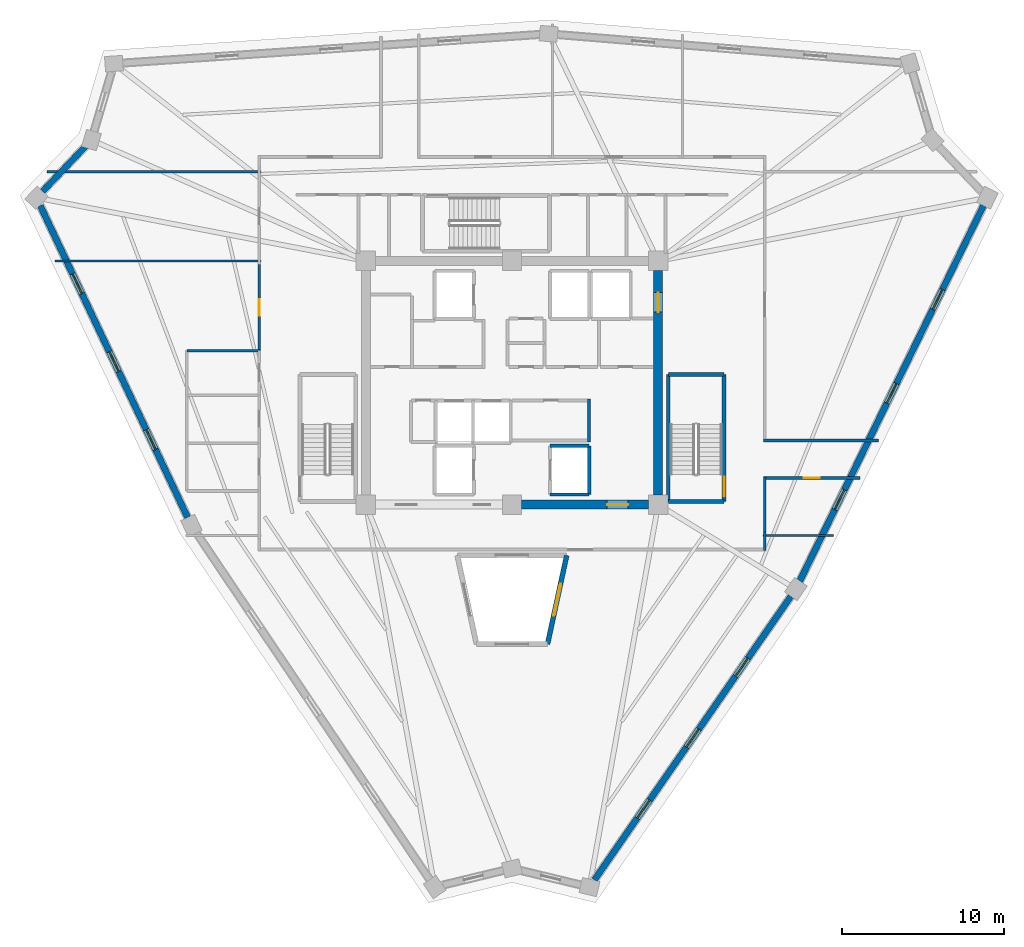
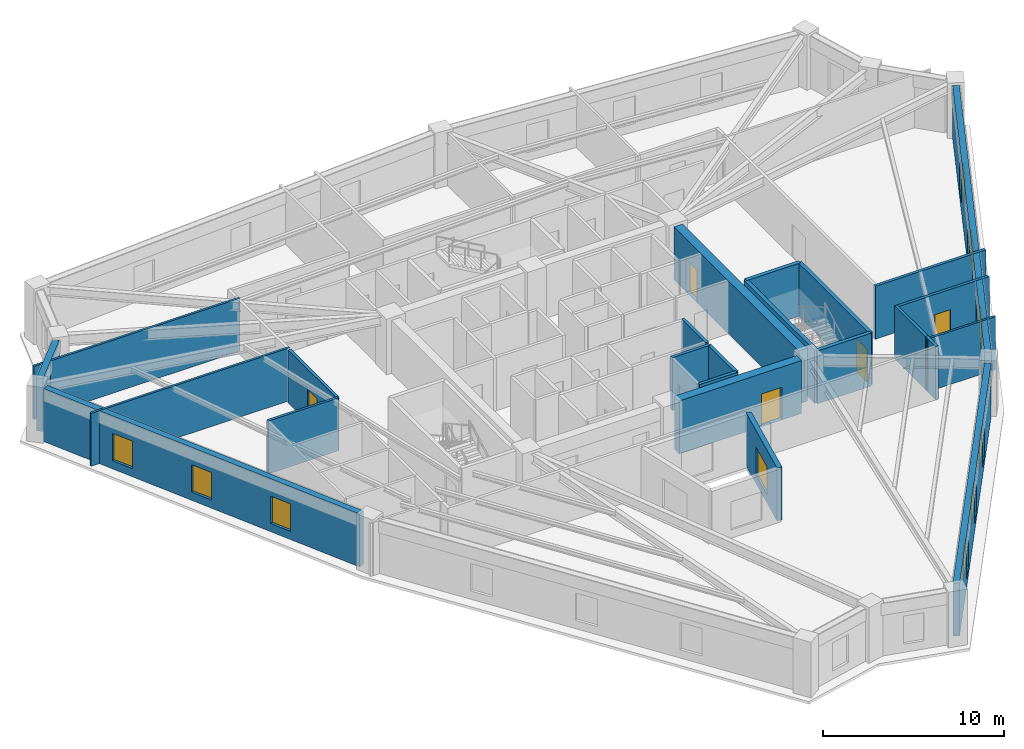
# One storey, part 4 of 8: 24 walls, 10 windows, 5 doors, 15 openings.
"""IFC4 building model written with IfcOpenShell, lengths in metres."""

from ifc_helpers import new_model, si_unit, direction, frame, frame_2d, origin, place, context, subcontext, project, spatial, rectangle, extrude, source, transform, mapped, material, layer, layer_set, type_object, element, fill, save


model = new_model("IFC4")

# Units and contexts
model_context = context("Model", 3, precision=1e-05, world=origin(), true_north=direction((0.0, 1.0)))
body_context = subcontext(model_context, "Body", "Model", "MODEL_VIEW")
ifc_project = project(units=[si_unit("LENGTHUNIT", "METRE"), si_unit("AREAUNIT", "SQUARE_METRE"), si_unit("VOLUMEUNIT", "CUBIC_METRE"), si_unit("PLANEANGLEUNIT", "RADIAN"), si_unit("MASSUNIT", "GRAM", prefix="KILO")], contexts=[model_context])

# Site, building, storey
site_placement = place(None, origin())
site = spatial("IfcSite", under=ifc_project, at=site_placement, CompositionType="ELEMENT")
building_placement = place(site_placement, origin())
building = spatial("IfcBuilding", under=site, at=building_placement, Name="Liaohun Quay Tower", CompositionType="ELEMENT")
storey_placement = place(building_placement, frame((0.0, 0.0, 332.25)))
storey = spatial("IfcBuildingStorey", under=building, at=storey_placement, Name="L86", CompositionType="ELEMENT", Elevation=332.25)

# Wall, opening, window
ifc_material_1 = material(Name="Concrete C50", Category="concrete")
ifc_layer_1 = layer(ifc_material_1, 0.300048828125, Name="Concrete C50", Category="concrete")
ifc_layer_set_1 = layer_set([ifc_layer_1], Name="Concrete C50")
wall_type_1 = type_object("IfcWallType", Name="WAL-ATR-300", PredefinedType="SOLIDWALL", material=ifc_layer_set_1)
wall_1_placement = place(storey_placement, frame((63.368896484375, 43.3701171875, 0.0), z_axis=(0.0, 0.0, 1.0), x_axis=(-0.211279697176, -0.977425644006, 0.0)))
wall_1 = element("IfcWall", 1, at=wall_1_placement, inside=storey, type_object=wall_type_1, Name="L86 Atrium Fire Compartment Wall 3", PredefinedType="SOLIDWALL", context=body_context, shape_type="SweptSolid", body=[
    extrude(rectangle(XDim=5.580078125, YDim=0.300048828125, at=frame_2d((2.7900390625, 0.0))), origin(), (0.0, 0.0, 1.0), 3.570068359375),
])
shared_shape_1 = source(origin(), body_context, "Body", "SweptSolid", [
    extrude(rectangle(XDim=2.0, YDim=1.89990234375, at=frame_2d((1.0, 0.949951171875))), frame((0.0, 0.159912109375, 0.0), z_axis=(0.0, -1.0, 0.0), x_axis=(1.0, 0.0, 0.0)), (0.0, 0.0, 1.0), 0.320068359375),
])
opening_1_placement = place(wall_1_placement, frame((1.7900390625, 0.0, 0.550048828125)))
opening_1 = element("IfcOpeningElement", 2, at=opening_1_placement, cuts=wall_1, Name="Opening W07", PredefinedType="OPENING", context=body_context, shape_type="MappedRepresentation", body=[
    mapped(shared_shape_1, transform((0.0, 0.0, 0.0), x_axis=(1.0, 0.0, 0.0), y_axis=(0.0, 1.0, 0.0), z_axis=(0.0, 0.0, 1.0), scale=1.0)),
])
ifc_material_2 = material(Name="Class A 180-min fire-resistant insulated glazing", Category="glass")
window_type_1 = type_object("IfcWindowType", Name="WIN-ATR-FIR", PartitioningType="DOUBLE_PANEL_VERTICAL", PredefinedType="WINDOW", material=ifc_material_2)
shared_shape_2 = source(origin(), body_context, "Body", "SweptSolid", [
    extrude(rectangle(XDim=2.0, YDim=1.89990234375, at=frame_2d((1.0, 0.949951171875))), frame((0.0, 0.030029296875, 0.0), z_axis=(0.0, -1.0, 0.0), x_axis=(1.0, 0.0, 0.0)), (0.0, 0.0, 1.0), 0.06005859375),
])
window_1_placement = place(opening_1_placement, origin())
window_1 = element("IfcWindow", 3, at=window_1_placement, inside=storey, type_object=window_type_1, Name="L86 Atrium Fire-Resistant Glazing W07-3", OverallHeight=1.89990234375, OverallWidth=2.0, PartitioningType="DOUBLE_PANEL_VERTICAL", PredefinedType="WINDOW", context=body_context, shape_type="MappedRepresentation", body=[
    mapped(shared_shape_2, transform((0.0, 0.0, 0.0), x_axis=(1.0, 0.0, 0.0), y_axis=(0.0, 1.0, 0.0), z_axis=(0.0, 0.0, 1.0), scale=1.0)),
])
fill(opening_1, window_1)

# Wall, opening, door
ifc_layer_2 = layer(ifc_material_1, 0.550048828125, Name="Concrete C50", Category="concrete")
ifc_layer_set_2 = layer_set([ifc_layer_2], Name="Concrete C50")
wall_type_2 = type_object("IfcWallType", Name="WAL-COR-Z4", PredefinedType="SHEAR", material=ifc_layer_set_2)
wall_2_placement = place(storey_placement, frame((69.0, 60.89990234375, 0.0), z_axis=(0.0, 0.0, 1.0), x_axis=(0.0, -1.0, 0.0)))
wall_2 = element("IfcWall", 4, at=wall_2_placement, inside=storey, type_object=wall_type_2, Name="L86 Central Core Shear Wall E", PredefinedType="SHEAR", context=body_context, shape_type="SweptSolid", body=[
    extrude(rectangle(XDim=13.7998046875, YDim=0.550048828125, at=frame_2d((6.89990234375, 0.0))), origin(), (0.0, 0.0, 1.0), 3.570068359375),
])
shared_shape_3 = source(origin(), body_context, "Body", "SweptSolid", [
    extrude(rectangle(XDim=1.199951171875, YDim=2.199951171875, at=frame_2d((0.60009765625, 1.10009765625))), frame((0.0, 0.284912109375, 0.0), z_axis=(0.0, -1.0, 0.0), x_axis=(1.0, 0.0, 0.0)), (0.0, 0.0, 1.0), 0.570068359375),
])
opening_2_placement = place(wall_2_placement, frame((1.35009765625, 0.0, 0.0)))
opening_2 = element("IfcOpeningElement", 5, at=opening_2_placement, cuts=wall_2, Name="Opening SD1", PredefinedType="OPENING", context=body_context, shape_type="MappedRepresentation", body=[
    mapped(shared_shape_3, transform((0.0, 0.0, 0.0), x_axis=(1.0, 0.0, 0.0), y_axis=(0.0, 1.0, 0.0), z_axis=(0.0, 0.0, 1.0), scale=1.0)),
])
ifc_material_3 = material(Name="Galvanised steel fire door", Category="steel")
door_type_1 = type_object("IfcDoorType", Name="DOR-STR-1200", OperationType="NOTDEFINED", PredefinedType="DOOR", material=ifc_material_3)
shared_shape_4 = source(origin(), body_context, "Body", "SweptSolid", [
    extrude(rectangle(XDim=1.199951171875, YDim=2.199951171875, at=frame_2d((0.60009765625, 1.10009765625))), frame((0.0, 0.02490234375, 0.0), z_axis=(0.0, -1.0, 0.0), x_axis=(1.0, 0.0, 0.0)), (0.0, 0.0, 1.0), 0.050048828125),
])
door_1_placement = place(opening_2_placement, origin())
door_1 = element("IfcDoor", 6, at=door_1_placement, inside=storey, type_object=door_type_1, Name="L86 North-East Core Lobby Smokeproof Door", OperationType="SINGLE_SWING_LEFT", OverallHeight=2.199951171875, OverallWidth=1.199951171875, PredefinedType="DOOR", context=body_context, shape_type="MappedRepresentation", body=[
    mapped(shared_shape_4, transform((0.0, 0.0, 0.0), x_axis=(1.0, 0.0, 0.0), y_axis=(0.0, 1.0, 0.0), z_axis=(0.0, 0.0, 1.0), scale=1.0)),
])
fill(opening_2, door_1)

wall_3_placement = place(storey_placement, frame((68.39990234375, 46.5, 0.0), z_axis=(0.0, 0.0, 1.0), x_axis=(-1.0, 0.0, 0.0)))
wall_3 = element("IfcWall", 7, at=wall_3_placement, inside=storey, type_object=wall_type_2, Name="L86 Central Core Shear Wall S-E", PredefinedType="SHEAR", context=body_context, shape_type="SweptSolid", body=[
    extrude(rectangle(XDim=7.7998046875, YDim=0.550048828125, at=frame_2d((3.89990234375, 0.0))), origin(), (0.0, 0.0, 1.0), 3.570068359375),
])
shared_shape_5 = source(origin(), body_context, "Body", "SweptSolid", [
    extrude(rectangle(XDim=1.300048828125, YDim=2.199951171875, at=frame_2d((0.64990234375, 1.10009765625))), frame((0.0, 0.284912109375, 0.0), z_axis=(0.0, -1.0, 0.0), x_axis=(1.0, 0.0, 0.0)), (0.0, 0.0, 1.0), 0.570068359375),
])
opening_3_placement = place(wall_3_placement, frame((1.25, 0.0, 0.0)))
opening_3 = element("IfcOpeningElement", 8, at=opening_3_placement, cuts=wall_3, Name="Opening FD1", PredefinedType="OPENING", context=body_context, shape_type="MappedRepresentation", body=[
    mapped(shared_shape_5, transform((0.0, 0.0, 0.0), x_axis=(1.0, 0.0, 0.0), y_axis=(0.0, 1.0, 0.0), z_axis=(0.0, 0.0, 1.0), scale=1.0)),
])
ifc_material_4 = material(Name="Galvanised steel smokeproof fire door", Category="steel")
door_type_2 = type_object("IfcDoorType", Name="DOR-FFL-1300", OperationType="NOTDEFINED", PredefinedType="DOOR", material=ifc_material_4)
shared_shape_6 = source(origin(), body_context, "Body", "SweptSolid", [
    extrude(rectangle(XDim=1.300048828125, YDim=2.199951171875, at=frame_2d((0.64990234375, 1.10009765625))), frame((0.0, 0.02490234375, 0.0), z_axis=(0.0, -1.0, 0.0), x_axis=(1.0, 0.0, 0.0)), (0.0, 0.0, 1.0), 0.050048828125),
])
door_2_placement = place(opening_3_placement, origin())
door_2 = element("IfcDoor", 9, at=door_2_placement, inside=storey, type_object=door_type_2, Name="L86 East Core Lift Lobby Smokeproof Door", OperationType="SINGLE_SWING_LEFT", OverallHeight=2.199951171875, OverallWidth=1.300048828125, PredefinedType="DOOR", context=body_context, shape_type="MappedRepresentation", body=[
    mapped(shared_shape_6, transform((0.0, 0.0, 0.0), x_axis=(1.0, 0.0, 0.0), y_axis=(0.0, 1.0, 0.0), z_axis=(0.0, 0.0, 1.0), scale=1.0)),
])
fill(opening_3, door_2)

# Wall, openings, windows
ifc_material_5 = material(Name="Precast concrete C50 insulated sandwich", Category="concrete")
ifc_layer_3 = layer(ifc_material_5, 0.3798828125, Name="Precast concrete C50 insulated sandwich", Category="concrete")
ifc_layer_set_3 = layer_set([ifc_layer_3], Name="Precast concrete C50 insulated sandwich")
wall_type_3 = type_object("IfcWallType", Name="WAL-EXT-Z34", PredefinedType="SOLIDWALL", material=ifc_layer_set_3)
wall_4_placement = place(storey_placement, frame((65.076904296875, 23.39599609375, 0.0), z_axis=(0.0, 0.0, 1.0), x_axis=(0.569337280664, 0.822104045025, 0.0)))
wall_4 = element("IfcWall", 10, at=wall_4_placement, inside=storey, type_object=wall_type_3, Name="L86 Brutalist Precast Pier Wall 02", PredefinedType="SOLIDWALL", context=body_context, shape_type="SweptSolid", body=[
    extrude(rectangle(XDim=21.240478515625, YDim=0.3798828125, at=frame_2d((10.6201171875, 0.0))), origin(), (0.0, 0.0, 1.0), 3.570068359375),
])
shared_shape_7 = source(origin(), body_context, "Body", "SweptSolid", [
    extrude(rectangle(XDim=1.35009765625, YDim=1.85009765625, at=frame_2d((0.675048828125, 0.925048828125))), frame((0.0, 0.199951171875, 0.0), z_axis=(0.0, -1.0, 0.0), x_axis=(1.0, 0.0, 0.0)), (0.0, 0.0, 1.0), 0.39990234375),
])
opening_4_placement = place(wall_4_placement, frame((4.635009765625, 0.0, 0.550048828125)))
opening_4 = element("IfcOpeningElement", 11, at=opening_4_placement, cuts=wall_4, Name="Opening W04", PredefinedType="OPENING", context=body_context, shape_type="MappedRepresentation", body=[
    mapped(shared_shape_7, transform((0.0, 0.0, 0.0), x_axis=(1.0, 0.0, 0.0), y_axis=(0.0, 1.0, 0.0), z_axis=(0.0, 0.0, 1.0), scale=1.0)),
])
opening_5_placement = place(wall_4_placement, frame((9.945068359375, 0.0, 0.550048828125)))
opening_5 = element("IfcOpeningElement", 12, at=opening_5_placement, cuts=wall_4, Name="Opening W04", PredefinedType="OPENING", context=body_context, shape_type="MappedRepresentation", body=[
    mapped(shared_shape_7, transform((0.0, 0.0, 0.0), x_axis=(1.0, 0.0, 0.0), y_axis=(0.0, 1.0, 0.0), z_axis=(0.0, 0.0, 1.0), scale=1.0)),
])
opening_6_placement = place(wall_4_placement, frame((15.2548828125, 0.0, 0.550048828125)))
opening_6 = element("IfcOpeningElement", 13, at=opening_6_placement, cuts=wall_4, Name="Opening W04", PredefinedType="OPENING", context=body_context, shape_type="MappedRepresentation", body=[
    mapped(shared_shape_7, transform((0.0, 0.0, 0.0), x_axis=(1.0, 0.0, 0.0), y_axis=(0.0, 1.0, 0.0), z_axis=(0.0, 0.0, 1.0), scale=1.0)),
])
ifc_material_6 = material(Name="Triple Low-E argon glazing in thermally broken aluminium", Category="aluminium")
window_type_2 = type_object("IfcWindowType", Name="WIN-PUN-Z4", PartitioningType="SINGLE_PANEL", PredefinedType="WINDOW", material=ifc_material_6)
shared_shape_8 = source(origin(), body_context, "Body", "SweptSolid", [
    extrude(rectangle(XDim=1.35009765625, YDim=1.85009765625, at=frame_2d((0.675048828125, 0.925048828125))), frame((0.0, 0.030029296875, 0.0), z_axis=(0.0, -1.0, 0.0), x_axis=(1.0, 0.0, 0.0)), (0.0, 0.0, 1.0), 0.06005859375),
])
window_2_placement = place(opening_4_placement, origin())
window_2 = element("IfcWindow", 14, at=window_2_placement, inside=storey, type_object=window_type_2, Name="L86 Recessed Cold-Climate Punched Window 02-1", OverallHeight=1.85009765625, OverallWidth=1.35009765625, PartitioningType="SINGLE_PANEL", PredefinedType="WINDOW", context=body_context, shape_type="MappedRepresentation", body=[
    mapped(shared_shape_8, transform((0.0, 0.0, 0.0), x_axis=(1.0, 0.0, 0.0), y_axis=(0.0, 1.0, 0.0), z_axis=(0.0, 0.0, 1.0), scale=1.0)),
])
fill(opening_4, window_2)
window_3_placement = place(opening_5_placement, origin())
window_3 = element("IfcWindow", 15, at=window_3_placement, inside=storey, type_object=window_type_2, Name="L86 Recessed Cold-Climate Punched Window 02-2", OverallHeight=1.85009765625, OverallWidth=1.35009765625, PartitioningType="SINGLE_PANEL", PredefinedType="WINDOW", context=body_context, shape_type="MappedRepresentation", body=[
    mapped(shared_shape_8, transform((0.0, 0.0, 0.0), x_axis=(1.0, 0.0, 0.0), y_axis=(0.0, 1.0, 0.0), z_axis=(0.0, 0.0, 1.0), scale=1.0)),
])
fill(opening_5, window_3)
window_4_placement = place(opening_6_placement, origin())
window_4 = element("IfcWindow", 16, at=window_4_placement, inside=storey, type_object=window_type_2, Name="L86 Recessed Cold-Climate Punched Window 02-3", OverallHeight=1.85009765625, OverallWidth=1.35009765625, PartitioningType="SINGLE_PANEL", PredefinedType="WINDOW", context=body_context, shape_type="MappedRepresentation", body=[
    mapped(shared_shape_8, transform((0.0, 0.0, 0.0), x_axis=(1.0, 0.0, 0.0), y_axis=(0.0, 1.0, 0.0), z_axis=(0.0, 0.0, 1.0), scale=1.0)),
])
fill(opening_6, window_4)

wall_5_placement = place(storey_placement, frame((77.714111328125, 41.787109375, 0.0), z_axis=(0.0, 0.0, 1.0), x_axis=(0.439535610403, 0.898225165083, 0.0)))
wall_5 = element("IfcWall", 17, at=wall_5_placement, inside=storey, type_object=wall_type_3, Name="L86 Brutalist Precast Pier Wall 03", PredefinedType="SOLIDWALL", context=body_context, shape_type="SweptSolid", body=[
    extrude(rectangle(XDim=25.747314453125, YDim=0.3798828125, at=frame_2d((12.87353515625, 0.0))), origin(), (0.0, 0.0, 1.0), 3.570068359375),
])
opening_7_placement = place(wall_5_placement, frame((4.912109375, 0.0, 0.550048828125)))
opening_7 = element("IfcOpeningElement", 18, at=opening_7_placement, cuts=wall_5, Name="Opening W04", PredefinedType="OPENING", context=body_context, shape_type="MappedRepresentation", body=[
    mapped(shared_shape_7, transform((0.0, 0.0, 0.0), x_axis=(1.0, 0.0, 0.0), y_axis=(0.0, 1.0, 0.0), z_axis=(0.0, 0.0, 1.0), scale=1.0)),
])
opening_8_placement = place(wall_5_placement, frame((12.198974609375, 0.0, 0.550048828125)))
opening_8 = element("IfcOpeningElement", 19, at=opening_8_placement, cuts=wall_5, Name="Opening W04", PredefinedType="OPENING", context=body_context, shape_type="MappedRepresentation", body=[
    mapped(shared_shape_7, transform((0.0, 0.0, 0.0), x_axis=(1.0, 0.0, 0.0), y_axis=(0.0, 1.0, 0.0), z_axis=(0.0, 0.0, 1.0), scale=1.0)),
])
opening_9_placement = place(wall_5_placement, frame((18.635986328125, 0.0, 0.550048828125)))
opening_9 = element("IfcOpeningElement", 20, at=opening_9_placement, cuts=wall_5, Name="Opening W04", PredefinedType="OPENING", context=body_context, shape_type="MappedRepresentation", body=[
    mapped(shared_shape_7, transform((0.0, 0.0, 0.0), x_axis=(1.0, 0.0, 0.0), y_axis=(0.0, 1.0, 0.0), z_axis=(0.0, 0.0, 1.0), scale=1.0)),
])
window_5_placement = place(opening_7_placement, origin())
window_5 = element("IfcWindow", 21, at=window_5_placement, inside=storey, type_object=window_type_2, Name="L86 Recessed Cold-Climate Punched Window 03-1", OverallHeight=1.85009765625, OverallWidth=1.35009765625, PartitioningType="SINGLE_PANEL", PredefinedType="WINDOW", context=body_context, shape_type="MappedRepresentation", body=[
    mapped(shared_shape_8, transform((0.0, 0.0, 0.0), x_axis=(1.0, 0.0, 0.0), y_axis=(0.0, 1.0, 0.0), z_axis=(0.0, 0.0, 1.0), scale=1.0)),
])
fill(opening_7, window_5)
window_6_placement = place(opening_8_placement, origin())
window_6 = element("IfcWindow", 22, at=window_6_placement, inside=storey, type_object=window_type_2, Name="L86 Recessed Cold-Climate Punched Window 03-2", OverallHeight=1.85009765625, OverallWidth=1.35009765625, PartitioningType="SINGLE_PANEL", PredefinedType="WINDOW", context=body_context, shape_type="MappedRepresentation", body=[
    mapped(shared_shape_8, transform((0.0, 0.0, 0.0), x_axis=(1.0, 0.0, 0.0), y_axis=(0.0, 1.0, 0.0), z_axis=(0.0, 0.0, 1.0), scale=1.0)),
])
fill(opening_8, window_6)
window_7_placement = place(opening_9_placement, origin())
window_7 = element("IfcWindow", 23, at=window_7_placement, inside=storey, type_object=window_type_2, Name="L86 Recessed Cold-Climate Punched Window 03-3", OverallHeight=1.85009765625, OverallWidth=1.35009765625, PartitioningType="SINGLE_PANEL", PredefinedType="WINDOW", context=body_context, shape_type="MappedRepresentation", body=[
    mapped(shared_shape_8, transform((0.0, 0.0, 0.0), x_axis=(1.0, 0.0, 0.0), y_axis=(0.0, 1.0, 0.0), z_axis=(0.0, 0.0, 1.0), scale=1.0)),
])
fill(opening_9, window_7)

# Wall
wall_6_placement = place(storey_placement, frame((33.737060546875, 68.556884765625, 0.0), z_axis=(0.0, 0.0, 1.0), x_axis=(-0.689248887434, -0.724524651872, 0.0)))
element("IfcWall", 24, at=wall_6_placement, inside=storey, type_object=wall_type_3, Name="L86 Brutalist Precast Pier Wall 09", PredefinedType="SOLIDWALL", context=body_context, shape_type="SweptSolid", body=[
    extrude(rectangle(XDim=3.8271484375, YDim=0.3798828125, at=frame_2d((1.91357421875, 0.0))), origin(), (0.0, 0.0, 1.0), 3.570068359375),
])

# Wall, openings, windows
wall_7_placement = place(storey_placement, frame((30.9580078125, 64.905029296875, 0.0), z_axis=(0.0, 0.0, 1.0), x_axis=(0.427288231304, -0.904115461315, 0.0)))
wall_7 = element("IfcWall", 25, at=wall_7_placement, inside=storey, type_object=wall_type_3, Name="L86 Brutalist Precast Pier Wall 10", PredefinedType="SOLIDWALL", context=body_context, shape_type="SweptSolid", body=[
    extrude(rectangle(XDim=21.24072265625, YDim=0.3798828125, at=frame_2d((10.620361328125, 0.0))), origin(), (0.0, 0.0, 1.0), 3.570068359375),
])
opening_10_placement = place(wall_7_placement, frame((4.635009765625, 0.0, 0.550048828125)))
opening_10 = element("IfcOpeningElement", 26, at=opening_10_placement, cuts=wall_7, Name="Opening W04", PredefinedType="OPENING", context=body_context, shape_type="MappedRepresentation", body=[
    mapped(shared_shape_7, transform((0.0, 0.0, 0.0), x_axis=(1.0, 0.0, 0.0), y_axis=(0.0, 1.0, 0.0), z_axis=(0.0, 0.0, 1.0), scale=1.0)),
])
opening_11_placement = place(wall_7_placement, frame((9.945068359375, 0.0, 0.550048828125)))
opening_11 = element("IfcOpeningElement", 27, at=opening_11_placement, cuts=wall_7, Name="Opening W04", PredefinedType="OPENING", context=body_context, shape_type="MappedRepresentation", body=[
    mapped(shared_shape_7, transform((0.0, 0.0, 0.0), x_axis=(1.0, 0.0, 0.0), y_axis=(0.0, 1.0, 0.0), z_axis=(0.0, 0.0, 1.0), scale=1.0)),
])
opening_12_placement = place(wall_7_placement, frame((15.256103515625, 0.0, 0.550048828125)))
opening_12 = element("IfcOpeningElement", 28, at=opening_12_placement, cuts=wall_7, Name="Opening W04", PredefinedType="OPENING", context=body_context, shape_type="MappedRepresentation", body=[
    mapped(shared_shape_7, transform((0.0, 0.0, 0.0), x_axis=(1.0, 0.0, 0.0), y_axis=(0.0, 1.0, 0.0), z_axis=(0.0, 0.0, 1.0), scale=1.0)),
])
window_8_placement = place(opening_10_placement, origin())
window_8 = element("IfcWindow", 29, at=window_8_placement, inside=storey, type_object=window_type_2, Name="L86 Recessed Cold-Climate Punched Window 10-1", OverallHeight=1.85009765625, OverallWidth=1.35009765625, PartitioningType="SINGLE_PANEL", PredefinedType="WINDOW", context=body_context, shape_type="MappedRepresentation", body=[
    mapped(shared_shape_8, transform((0.0, 0.0, 0.0), x_axis=(1.0, 0.0, 0.0), y_axis=(0.0, 1.0, 0.0), z_axis=(0.0, 0.0, 1.0), scale=1.0)),
])
fill(opening_10, window_8)
window_9_placement = place(opening_11_placement, origin())
window_9 = element("IfcWindow", 30, at=window_9_placement, inside=storey, type_object=window_type_2, Name="L86 Recessed Cold-Climate Punched Window 10-2", OverallHeight=1.85009765625, OverallWidth=1.35009765625, PartitioningType="SINGLE_PANEL", PredefinedType="WINDOW", context=body_context, shape_type="MappedRepresentation", body=[
    mapped(shared_shape_8, transform((0.0, 0.0, 0.0), x_axis=(1.0, 0.0, 0.0), y_axis=(0.0, 1.0, 0.0), z_axis=(0.0, 0.0, 1.0), scale=1.0)),
])
fill(opening_11, window_9)
window_10_placement = place(opening_12_placement, origin())
window_10 = element("IfcWindow", 31, at=window_10_placement, inside=storey, type_object=window_type_2, Name="L86 Recessed Cold-Climate Punched Window 10-3", OverallHeight=1.85009765625, OverallWidth=1.35009765625, PartitioningType="SINGLE_PANEL", PredefinedType="WINDOW", context=body_context, shape_type="MappedRepresentation", body=[
    mapped(shared_shape_8, transform((0.0, 0.0, 0.0), x_axis=(1.0, 0.0, 0.0), y_axis=(0.0, 1.0, 0.0), z_axis=(0.0, 0.0, 1.0), scale=1.0)),
])
fill(opening_12, window_10)

# Wall, opening, door
ifc_material_7 = material(Name="Autoclaved aerated concrete blockwork", Category="masonry")
ifc_layer_4 = layer(ifc_material_7, 0.179931640625, Name="Autoclaved aerated concrete blockwork", Category="masonry")
ifc_layer_set_4 = layer_set([ifc_layer_4], Name="Autoclaved aerated concrete blockwork")
wall_type_4 = type_object("IfcWallType", Name="WAL-PRT-COR", PredefinedType="PARTITIONING", material=ifc_layer_set_4)
wall_8_placement = place(storey_placement, frame((44.43994140625, 55.97998046875, 0.0), z_axis=(0.0, 0.0, 1.0), x_axis=(0.0, 1.0, 0.0)))
wall_8 = element("IfcWall", 32, at=wall_8_placement, inside=storey, type_object=wall_type_4, Name="L86 Interior Partition Wall 025", PredefinedType="PARTITIONING", context=body_context, shape_type="SweptSolid", body=[
    extrude(rectangle(XDim=5.304931640625, YDim=0.179931640625, at=frame_2d((2.65234375, 0.0))), origin(), (0.0, 0.0, 1.0), 3.570068359375),
])
shared_shape_9 = source(origin(), body_context, "Body", "SweptSolid", [
    extrude(rectangle(XDim=1.0, YDim=2.199951171875, at=frame_2d((0.5, 1.10009765625))), frame((0.0, 0.099853515625, 0.0), z_axis=(0.0, -1.0, 0.0), x_axis=(1.0, 0.0, 0.0)), (0.0, 0.0, 1.0), 0.199951171875),
])
opening_13_placement = place(wall_8_placement, frame((2.152099609375, 0.0, 0.0)))
opening_13 = element("IfcOpeningElement", 33, at=opening_13_placement, cuts=wall_8, Name="Opening OD1", PredefinedType="OPENING", context=body_context, shape_type="MappedRepresentation", body=[
    mapped(shared_shape_9, transform((0.0, 0.0, 0.0), x_axis=(1.0, 0.0, 0.0), y_axis=(0.0, 1.0, 0.0), z_axis=(0.0, 0.0, 1.0), scale=1.0)),
])
ifc_material_8 = material(Name="Solid-core oak veneer timber leaf in steel frame", Category="steel")
door_type_3 = type_object("IfcDoorType", Name="DOR-OFF-1000", OperationType="NOTDEFINED", PredefinedType="DOOR", material=ifc_material_8)
shared_shape_10 = source(origin(), body_context, "Body", "SweptSolid", [
    extrude(rectangle(XDim=1.0, YDim=2.199951171875, at=frame_2d((0.5, 1.10009765625))), frame((0.0, 0.02490234375, 0.0), z_axis=(0.0, -1.0, 0.0), x_axis=(1.0, 0.0, 0.0)), (0.0, 0.0, 1.0), 0.050048828125),
])
door_3_placement = place(opening_13_placement, origin())
door_3 = element("IfcDoor", 34, at=door_3_placement, inside=storey, type_object=door_type_3, Name="L86 Occupational Wellness Clinic 07 Door", OperationType="SINGLE_SWING_RIGHT", OverallHeight=2.199951171875, OverallWidth=1.0, PredefinedType="DOOR", context=body_context, shape_type="MappedRepresentation", body=[
    mapped(shared_shape_10, transform((0.0, 0.0, 0.0), x_axis=(1.0, 0.0, 0.0), y_axis=(0.0, 1.0, 0.0), z_axis=(0.0, 0.0, 1.0), scale=1.0)),
])
fill(opening_13, door_3)

wall_9_placement = place(storey_placement, frame((81.416015625, 48.139892578125, 0.0), z_axis=(0.0, 0.0, 1.0), x_axis=(-1.0, 0.0, 0.0)))
wall_9 = element("IfcWall", 35, at=wall_9_placement, inside=storey, type_object=wall_type_4, Name="L86 Interior Partition Wall 027", PredefinedType="PARTITIONING", context=body_context, shape_type="SweptSolid", body=[
    extrude(rectangle(XDim=5.926025390625, YDim=0.179931640625, at=frame_2d((2.962890625, 0.0))), origin(), (0.0, 0.0, 1.0), 3.570068359375),
])
opening_14_placement = place(wall_9_placement, frame((2.462890625, 0.0, 0.0)))
opening_14 = element("IfcOpeningElement", 36, at=opening_14_placement, cuts=wall_9, Name="Opening OD1", PredefinedType="OPENING", context=body_context, shape_type="MappedRepresentation", body=[
    mapped(shared_shape_9, transform((0.0, 0.0, 0.0), x_axis=(1.0, 0.0, 0.0), y_axis=(0.0, 1.0, 0.0), z_axis=(0.0, 0.0, 1.0), scale=1.0)),
])
door_4_placement = place(opening_14_placement, origin())
door_4 = element("IfcDoor", 37, at=door_4_placement, inside=storey, type_object=door_type_3, Name="L86 Records Archive Store 09 Door", OperationType="SINGLE_SWING_RIGHT", OverallHeight=2.199951171875, OverallWidth=1.0, PredefinedType="DOOR", context=body_context, shape_type="MappedRepresentation", body=[
    mapped(shared_shape_10, transform((0.0, 0.0, 0.0), x_axis=(1.0, 0.0, 0.0), y_axis=(0.0, 1.0, 0.0), z_axis=(0.0, 0.0, 1.0), scale=1.0)),
])
fill(opening_14, door_4)

# Walls
wall_10_placement = place(storey_placement, frame((75.489990234375, 50.4599609375, 0.0), z_axis=(0.0, 0.0, 1.0), x_axis=(1.0, 0.0, 0.0)))
element("IfcWall", 38, at=wall_10_placement, inside=storey, type_object=wall_type_4, Name="L86 Interior Partition Wall 045", PredefinedType="PARTITIONING", context=body_context, shape_type="SweptSolid", body=[
    extrude(rectangle(XDim=7.06103515625, YDim=0.179931640625, at=frame_2d((3.530517578125, 0.0))), origin(), (0.0, 0.0, 1.0), 3.570068359375),
])
wall_11_placement = place(storey_placement, frame((75.56005859375, 44.81494140625, 0.0), z_axis=(0.0, 0.0, 1.0), x_axis=(0.0, -1.0, 0.0)))
element("IfcWall", 39, at=wall_11_placement, inside=storey, type_object=wall_type_4, Name="L86 Interior Partition Wall 052", PredefinedType="PARTITIONING", context=body_context, shape_type="SweptSolid", body=[
    extrude(rectangle(XDim=1.14501953125, YDim=0.179931640625, at=frame_2d((0.572509765625, 0.0))), origin(), (0.0, 0.0, 1.0), 3.570068359375),
])
wall_12_placement = place(storey_placement, frame((75.56005859375, 48.2099609375, 0.0), z_axis=(0.0, 0.0, 1.0), x_axis=(0.0, -1.0, 0.0)))
element("IfcWall", 40, at=wall_12_placement, inside=storey, type_object=wall_type_4, Name="L86 Interior Partition Wall 053", PredefinedType="PARTITIONING", context=body_context, shape_type="SweptSolid", body=[
    extrude(rectangle(XDim=3.39501953125, YDim=0.179931640625, at=frame_2d((1.697509765625, 0.0))), origin(), (0.0, 0.0, 1.0), 3.570068359375),
])
wall_13_placement = place(storey_placement, frame((64.75, 50.360107421875, 0.0), z_axis=(0.0, 0.0, 1.0), x_axis=(0.0, 1.0, 0.0)))
element("IfcWall", 41, at=wall_13_placement, inside=storey, type_object=wall_type_4, Name="L86 Interior Partition Wall 061", PredefinedType="PARTITIONING", context=body_context, shape_type="SweptSolid", body=[
    extrude(rectangle(XDim=2.64990234375, YDim=0.179931640625, at=frame_2d((1.324951171875, 0.0))), origin(), (0.0, 0.0, 1.0), 3.570068359375),
])
ifc_material_9 = material(Name="Gypsum board on twin steel studs", Category="steel")
ifc_layer_5 = layer(ifc_material_9, 0.139892578125, Name="Gypsum board on twin steel studs", Category="steel")
ifc_layer_set_5 = layer_set([ifc_layer_5], Name="Gypsum board on twin steel studs")
wall_type_5 = type_object("IfcWallType", Name="WAL-PRT-OFF", PredefinedType="PARTITIONING", material=ifc_layer_set_5)
wall_14_placement = place(storey_placement, frame((44.5400390625, 61.5, 0.0), z_axis=(0.0, 0.0, 1.0), x_axis=(-1.0, 0.0, 0.0)))
element("IfcWall", 42, at=wall_14_placement, inside=storey, type_object=wall_type_5, Name="L86 Interior Partition Wall 055", PredefinedType="PARTITIONING", context=body_context, shape_type="SweptSolid", body=[
    extrude(rectangle(XDim=12.669921875, YDim=0.139892578125, at=frame_2d((6.3349609375, 0.0))), origin(), (0.0, 0.0, 1.0), 3.570068359375),
])
wall_15_placement = place(storey_placement, frame((44.5400390625, 67.0, 0.0), z_axis=(0.0, 0.0, 1.0), x_axis=(-1.0, 0.0, 0.0)))
element("IfcWall", 43, at=wall_15_placement, inside=storey, type_object=wall_type_5, Name="L86 Interior Partition Wall 056", PredefinedType="PARTITIONING", context=body_context, shape_type="SweptSolid", body=[
    extrude(rectangle(XDim=13.154052734375, YDim=0.139892578125, at=frame_2d((6.5771484375, 0.0))), origin(), (0.0, 0.0, 1.0), 3.570068359375),
])
wall_16_placement = place(storey_placement, frame((75.4599609375, 44.60009765625, 0.0), z_axis=(0.0, 0.0, 1.0), x_axis=(1.0, 0.0, 0.0)))
element("IfcWall", 44, at=wall_16_placement, inside=storey, type_object=wall_type_5, Name="L86 Interior Partition Wall 057", PredefinedType="PARTITIONING", context=body_context, shape_type="SweptSolid", body=[
    extrude(rectangle(XDim=4.33203125, YDim=0.139892578125, at=frame_2d((2.166015625, 0.0))), origin(), (0.0, 0.0, 1.0), 3.570068359375),
])
ifc_material_10 = material(Name="Moisture-resistant masonry blockwork", Category="masonry")
ifc_layer_6 = layer(ifc_material_10, 0.159912109375, Name="Moisture-resistant masonry blockwork", Category="masonry")
ifc_layer_set_6 = layer_set([ifc_layer_6], Name="Moisture-resistant masonry blockwork")
wall_type_6 = type_object("IfcWallType", Name="WAL-PRT-WET", PredefinedType="PARTITIONING", material=ifc_layer_set_6)
wall_17_placement = place(storey_placement, frame((39.97998046875, 55.97998046875, 0.0), z_axis=(0.0, 0.0, 1.0), x_axis=(1.0, 0.0, 0.0)))
element("IfcWall", 45, at=wall_17_placement, inside=storey, type_object=wall_type_6, Name="L86 Interior Partition Wall 039", PredefinedType="PARTITIONING", context=body_context, shape_type="SweptSolid", body=[
    extrude(rectangle(XDim=4.4599609375, YDim=0.159912109375, at=frame_2d((2.22998046875, 0.0))), origin(), (0.0, 0.0, 1.0), 3.570068359375),
])
ifc_layer_7 = layer(ifc_material_1, 0.239990234375, Name="Concrete C50", Category="concrete")
ifc_layer_set_7 = layer_set([ifc_layer_7], Name="Concrete C50")
wall_type_7 = type_object("IfcWallType", Name="WAL-SHF-200", PredefinedType="SOLIDWALL", material=ifc_layer_set_7)
wall_18_placement = place(storey_placement, frame((69.6201171875, 46.699951171875, 0.0), z_axis=(0.0, 0.0, 1.0), x_axis=(1.0, 0.0, 0.0)))
element("IfcWall", 46, at=wall_18_placement, inside=storey, type_object=wall_type_7, Name="L86 Stairwell ST-2 Structural Core Wall S", PredefinedType="SOLIDWALL", context=body_context, shape_type="SweptSolid", body=[
    extrude(rectangle(XDim=3.43994140625, YDim=0.239990234375, at=frame_2d((1.719970703125, 0.0))), origin(), (0.0, 0.0, 1.0), 3.570068359375),
])

# Wall, opening, door
wall_19_placement = place(storey_placement, frame((73.06005859375, 46.699951171875, 0.0), z_axis=(0.0, 0.0, 1.0), x_axis=(0.0, 1.0, 0.0)))
wall_19 = element("IfcWall", 47, at=wall_19_placement, inside=storey, type_object=wall_type_7, Name="L86 Stairwell ST-2 Structural Core Wall E", PredefinedType="SOLIDWALL", context=body_context, shape_type="SweptSolid", body=[
    extrude(rectangle(XDim=7.820068359375, YDim=0.239990234375, at=frame_2d((3.91015625, 0.0))), origin(), (0.0, 0.0, 1.0), 3.570068359375),
])
shared_shape_11 = source(origin(), body_context, "Body", "SweptSolid", [
    extrude(rectangle(XDim=1.199951171875, YDim=2.199951171875, at=frame_2d((0.60009765625, 1.10009765625))), frame((0.0, 0.1298828125, 0.0), z_axis=(0.0, -1.0, 0.0), x_axis=(1.0, 0.0, 0.0)), (0.0, 0.0, 1.0), 0.260009765625),
])
opening_15_placement = place(wall_19_placement, frame((0.320068359375, 0.0, 0.0)))
opening_15 = element("IfcOpeningElement", 48, at=opening_15_placement, cuts=wall_19, Name="Opening SD1", PredefinedType="OPENING", context=body_context, shape_type="MappedRepresentation", body=[
    mapped(shared_shape_11, transform((0.0, 0.0, 0.0), x_axis=(1.0, 0.0, 0.0), y_axis=(0.0, 1.0, 0.0), z_axis=(0.0, 0.0, 1.0), scale=1.0)),
])
door_5_placement = place(opening_15_placement, origin())
door_5 = element("IfcDoor", 49, at=door_5_placement, inside=storey, type_object=door_type_1, Name="L86 Protected Stair ST-2 Fire Door", OperationType="SINGLE_SWING_RIGHT", OverallHeight=2.199951171875, OverallWidth=1.199951171875, PredefinedType="DOOR", context=body_context, shape_type="MappedRepresentation", body=[
    mapped(shared_shape_4, transform((0.0, 0.0, 0.0), x_axis=(1.0, 0.0, 0.0), y_axis=(0.0, 1.0, 0.0), z_axis=(0.0, 0.0, 1.0), scale=1.0)),
])
fill(opening_15, door_5)

# Walls
wall_20_placement = place(storey_placement, frame((73.06005859375, 54.52001953125, 0.0), z_axis=(0.0, 0.0, 1.0), x_axis=(-1.0, 0.0, 0.0)))
element("IfcWall", 50, at=wall_20_placement, inside=storey, type_object=wall_type_7, Name="L86 Stairwell ST-2 Structural Core Wall N", PredefinedType="SOLIDWALL", context=body_context, shape_type="SweptSolid", body=[
    extrude(rectangle(XDim=3.43994140625, YDim=0.239990234375, at=frame_2d((1.719970703125, 0.0))), origin(), (0.0, 0.0, 1.0), 3.570068359375),
])
wall_21_placement = place(storey_placement, frame((69.6201171875, 54.52001953125, 0.0), z_axis=(0.0, 0.0, 1.0), x_axis=(0.0, -1.0, 0.0)))
element("IfcWall", 51, at=wall_21_placement, inside=storey, type_object=wall_type_7, Name="L86 Stairwell ST-2 Structural Core Wall W", PredefinedType="SOLIDWALL", context=body_context, shape_type="SweptSolid", body=[
    extrude(rectangle(XDim=7.820068359375, YDim=0.239990234375, at=frame_2d((3.91015625, 0.0))), origin(), (0.0, 0.0, 1.0), 3.570068359375),
])
wall_22_placement = place(storey_placement, frame((62.35009765625, 47.1201171875, 0.0), z_axis=(0.0, 0.0, 1.0), x_axis=(1.0, 0.0, 0.0)))
element("IfcWall", 52, at=wall_22_placement, inside=storey, type_object=wall_type_7, Name="L86 Lift FF-02 Hoistway Wall S", PredefinedType="SOLIDWALL", context=body_context, shape_type="SweptSolid", body=[
    extrude(rectangle(XDim=2.39990234375, YDim=0.199951171875, at=frame_2d((1.199951171875, 0.0))), origin(), (0.0, 0.0, 1.0), 3.570068359375),
])
wall_23_placement = place(storey_placement, frame((64.75, 47.1201171875, 0.0), z_axis=(0.0, 0.0, 1.0), x_axis=(0.0, 1.0, 0.0)))
element("IfcWall", 53, at=wall_23_placement, inside=storey, type_object=wall_type_7, Name="L86 Lift FF-02 Hoistway Wall E", PredefinedType="SOLIDWALL", context=body_context, shape_type="SweptSolid", body=[
    extrude(rectangle(XDim=3.0, YDim=0.199951171875, at=frame_2d((1.5, 0.0))), origin(), (0.0, 0.0, 1.0), 3.570068359375),
])
wall_24_placement = place(storey_placement, frame((64.75, 50.1201171875, 0.0), z_axis=(0.0, 0.0, 1.0), x_axis=(-1.0, 0.0, 0.0)))
element("IfcWall", 54, at=wall_24_placement, inside=storey, type_object=wall_type_7, Name="L86 Lift FF-02 Hoistway Wall N", PredefinedType="SOLIDWALL", context=body_context, shape_type="SweptSolid", body=[
    extrude(rectangle(XDim=2.39990234375, YDim=0.199951171875, at=frame_2d((1.199951171875, 0.0))), origin(), (0.0, 0.0, 1.0), 3.570068359375),
])

save(model, "model.ifc")
